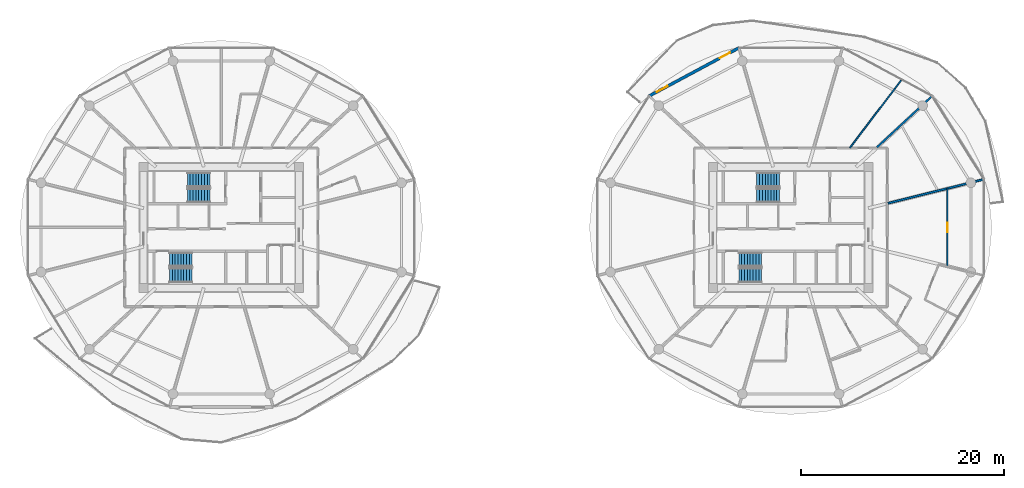
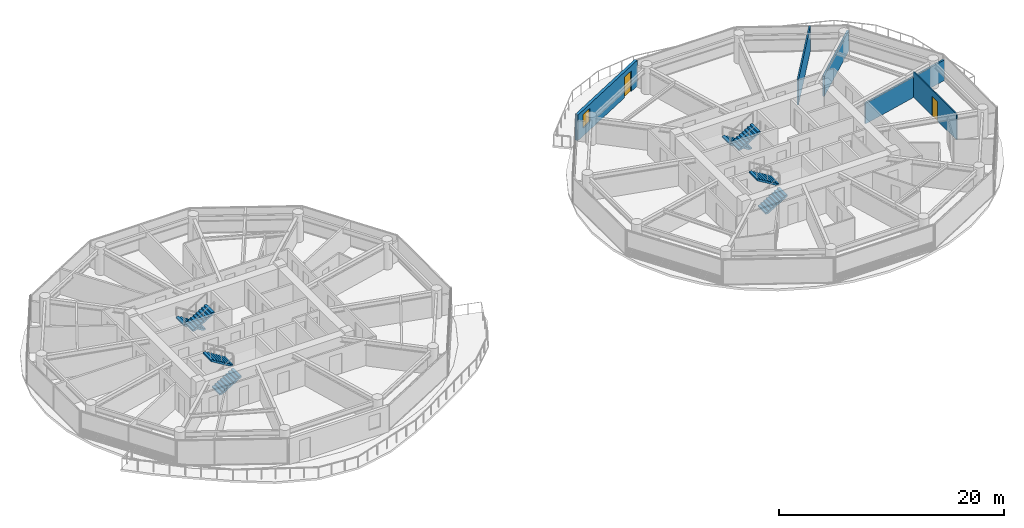
# One storey, part 20 of 26: 8 stair flights, 5 walls, 2 doors, 1 window, 3 openings, 4 elements without a shape of their own.
"""IFC4 building model written with IfcOpenShell, lengths in metres."""

from ifc_helpers import new_model, si_unit, direction, frame, frame_2d, origin, place, context, subcontext, project, spatial, polyline, rectangle, outline, extrude, source, transform, mapped, material, layer, layer_set, type_object, type_shapes, element, fill, aggregate, save


model = new_model("IFC4")

# Units and contexts
model_context = context("Model", 3, precision=1e-05, world=origin(), true_north=direction((0.0, 1.0)))
body_context = subcontext(model_context, "Body", "Model", "MODEL_VIEW")
ifc_project = project(units=[si_unit("LENGTHUNIT", "METRE"), si_unit("AREAUNIT", "SQUARE_METRE"), si_unit("VOLUMEUNIT", "CUBIC_METRE"), si_unit("PLANEANGLEUNIT", "RADIAN"), si_unit("MASSUNIT", "GRAM", prefix="KILO")], contexts=[model_context])

# Site, building, storey
site_placement = place(None, origin())
site = spatial("IfcSite", under=ifc_project, at=site_placement, CompositionType="ELEMENT")
building_placement = place(site_placement, origin())
building = spatial("IfcBuilding", under=site, at=building_placement, Name="Norrkilde Senior Care Towers", CompositionType="ELEMENT")
storey_placement = place(building_placement, frame((0.0, 0.0, 49.050048828125)))
storey = spatial("IfcBuildingStorey", under=building, at=storey_placement, Name="L14", CompositionType="ELEMENT", Elevation=49.050048828125)

# Wall, openings, door, window
ifc_material_1 = material(Name="Precast concrete C45/55", Category="concrete")
ifc_layer_1 = layer(ifc_material_1, 0.2900390625)
ifc_layer_set_1 = layer_set([ifc_layer_1], Name="Precast concrete C45/55")
wall_type_1 = type_object("IfcWallType", Name="Winter Garden Facade Wall 290", PredefinedType="SOLIDWALL", material=ifc_layer_set_1)
shared_shape_1 = source(origin(), body_context, "Body", "SweptSolid", [
    extrude(rectangle(XDim=10.0107421875, YDim=0.2900390625, at=frame_2d((5.00537109375, 0.0))), origin(), (0.0, 0.0, 1.0), 2.7900390625),
])
type_shapes(wall_type_1, [shared_shape_1])
wall_1_placement = place(storey_placement, frame((14.084228515625, 12.926025390625, 0.0), z_axis=(0.0, 0.0, 1.0), x_axis=(0.881272505317, 0.472608475773, 0.0)))
wall_1 = element("IfcWall", 1, at=wall_1_placement, inside=storey, type_object=wall_type_1, Name="L14 Drum E Balcony Access Wall 03", PredefinedType="SOLIDWALL", context=body_context, shape_type="MappedRepresentation", body=[
    mapped(shared_shape_1, transform((0.0, 0.0, 0.0), x_axis=(1.0, 0.0, 0.0), y_axis=(0.0, 1.0, 0.0), z_axis=(0.0, 0.0, 1.0), scale=1.0)),
])
opening_1_placement = place(wall_1_placement, frame((7.860107421875, 0.0, 0.0)))
opening_1 = element("IfcOpeningElement", 2, at=opening_1_placement, cuts=wall_1, Name="Opening D-09", PredefinedType="OPENING", context=body_context, shape_type="SweptSolid", body=[
    extrude(rectangle(XDim=1.14990234375, YDim=2.25, at=frame_2d((0.574951171875, 1.125))), frame((0.0, 0.155029296875, 0.0), z_axis=(0.0, -1.0, 0.0), x_axis=(1.0, 0.0, 0.0)), (0.0, 0.0, 1.0), 0.31005859375),
])
opening_2_placement = place(wall_1_placement, frame((0.85009765625, 0.0, 0.85009765625)))
opening_2 = element("IfcOpeningElement", 3, at=opening_2_placement, cuts=wall_1, Name="Opening WN-07", PredefinedType="OPENING", context=body_context, shape_type="SweptSolid", body=[
    extrude(rectangle(XDim=1.199951171875, YDim=1.5, at=frame_2d((0.60009765625, 0.75))), frame((0.0, 0.155029296875, 0.0), z_axis=(0.0, -1.0, 0.0), x_axis=(1.0, 0.0, 0.0)), (0.0, 0.0, 1.0), 0.31005859375),
])
ifc_material_2 = material(Name="Anodised Aluminium", Category="aluminium")
door_type_1 = type_object("IfcDoorType", Name="Terrace and Balcony Glazed Door 1150x2250", OperationType="NOTDEFINED", PredefinedType="DOOR", material=ifc_material_2)
shared_shape_2 = source(origin(), body_context, "Body", "SweptSolid", [
    extrude(rectangle(XDim=1.14990234375, YDim=2.25, at=frame_2d((0.574951171875, 1.125))), frame((0.0, 0.02490234375, 0.0), z_axis=(0.0, -1.0, 0.0), x_axis=(1.0, 0.0, 0.0)), (0.0, 0.0, 1.0), 0.050048828125),
])
type_shapes(door_type_1, [shared_shape_2])
door_1_placement = place(opening_1_placement, origin())
door_1 = element("IfcDoor", 4, at=door_1_placement, inside=storey, type_object=door_type_1, Name="L14 Drum E Outdoor Terrace Door 03", OperationType="SINGLE_SWING_RIGHT", OverallHeight=2.25, OverallWidth=1.14990234375, PredefinedType="DOOR", context=body_context, shape_type="MappedRepresentation", body=[
    mapped(shared_shape_2, transform((0.0, 0.0, 0.0), x_axis=(1.0, 0.0, 0.0), y_axis=(0.0, 1.0, 0.0), z_axis=(0.0, 0.0, 1.0), scale=1.0)),
])
fill(opening_1, door_1)
ifc_material_3 = material(Name="Triple Low-E Insulated Glazing", Category="glass")
window_type = type_object("IfcWindowType", Name="Stairwell Smoke Vent Window 1200x1500", PartitioningType="SINGLE_PANEL", PredefinedType="WINDOW", material=ifc_material_3)
shared_shape_3 = source(origin(), body_context, "Body", "SweptSolid", [
    extrude(rectangle(XDim=1.199951171875, YDim=1.5, at=frame_2d((0.60009765625, 0.75))), frame((0.0, 0.030029296875, 0.0), z_axis=(0.0, -1.0, 0.0), x_axis=(1.0, 0.0, 0.0)), (0.0, 0.0, 1.0), 0.06005859375),
])
type_shapes(window_type, [shared_shape_3])
window_placement = place(opening_2_placement, origin())
window = element("IfcWindow", 5, at=window_placement, inside=storey, type_object=window_type, Name="L14 Drum E Winter Garden Window 03", OverallHeight=1.5, OverallWidth=1.199951171875, PartitioningType="SINGLE_PANEL", PredefinedType="WINDOW", context=body_context, shape_type="MappedRepresentation", body=[
    mapped(shared_shape_3, transform((0.0, 0.0, 0.0), x_axis=(1.0, 0.0, 0.0), y_axis=(0.0, 1.0, 0.0), z_axis=(0.0, 0.0, 1.0), scale=1.0)),
])
fill(opening_2, window)

# Walls
ifc_material_4 = material(Name="Gypsum Acoustic Board")
ifc_layer_2 = layer(ifc_material_4, 0.18994140625)
ifc_layer_set_2 = layer_set([ifc_layer_2], Name="Gypsum Acoustic Board")
wall_type_2 = type_object("IfcWallType", Name="Unit Demising Acoustic Wall 190", PredefinedType="PARTITIONING", material=ifc_layer_set_2)
shared_shape_4 = source(origin(), body_context, "Body", "SweptSolid", [
    extrude(rectangle(XDim=7.4345703125, YDim=0.18994140625, at=frame_2d((3.71728515625, 0.0))), origin(), (0.0, 0.0, 1.0), 2.224853515625),
])
wall_2_placement = place(storey_placement, frame((36.48291015625, 7.8798828125, 0.0), z_axis=(0.0, 0.0, 1.0), x_axis=(0.732651956848, 0.680603489652, 0.0)))
element("IfcWall", 6, at=wall_2_placement, inside=storey, type_object=wall_type_2, Name="WL-INT-L14-E-DEM-01-0", PredefinedType="PARTITIONING", context=body_context, shape_type="MappedRepresentation", body=[
    mapped(shared_shape_4, transform((0.0, 0.0, 0.0), x_axis=(1.0, 0.0, 0.0), y_axis=(0.0, 1.0, 0.0), z_axis=(0.0, 0.0, 1.0), scale=1.0)),
])
shared_shape_5 = source(origin(), body_context, "Body", "SweptSolid", [
    extrude(rectangle(XDim=9.737060546875, YDim=0.18994140625, at=frame_2d((4.86865234375, 0.0))), origin(), (0.0, 0.0, 1.0), 2.224853515625),
])
type_shapes(wall_type_2, [shared_shape_4, shared_shape_5])
wall_3_placement = place(storey_placement, frame((37.580078125, 2.384521484375, 0.0), z_axis=(0.0, 0.0, 1.0), x_axis=(0.970392716238, 0.241532557375, 0.0)))
element("IfcWall", 7, at=wall_3_placement, inside=storey, type_object=wall_type_2, Name="WL-INT-L14-E-DEM-00-0", PredefinedType="PARTITIONING", context=body_context, shape_type="MappedRepresentation", body=[
    mapped(shared_shape_5, transform((0.0, 0.0, 0.0), x_axis=(1.0, 0.0, 0.0), y_axis=(0.0, 1.0, 0.0), z_axis=(0.0, 0.0, 1.0), scale=1.0)),
])

# Wall, opening, door
ifc_layer_3 = layer(ifc_material_4, 0.114990234375)
ifc_layer_set_3 = layer_set([ifc_layer_3], Name="Gypsum Acoustic Board")
wall_type_3 = type_object("IfcWallType", Name="Internal Room Partition 115", PredefinedType="PARTITIONING", material=ifc_layer_set_3)
shared_shape_6 = source(origin(), body_context, "Body", "SweptSolid", [
    extrude(rectangle(XDim=7.70947265625, YDim=0.114990234375, at=frame_2d((3.854736328125, 0.0))), origin(), (0.0, 0.0, 1.0), 2.77490234375),
])
type_shapes(wall_type_3, [shared_shape_6])
wall_4_placement = place(storey_placement, frame((43.40625, -3.854736328125, 0.0), z_axis=(0.0, 0.0, 1.0), x_axis=(0.0, 1.0, 0.0)))
wall_4 = element("IfcWall", 8, at=wall_4_placement, inside=storey, type_object=wall_type_3, Name="WL-INT-L14-E-UBC-10-1", PredefinedType="PARTITIONING", context=body_context, shape_type="MappedRepresentation", body=[
    mapped(shared_shape_6, transform((0.0, 0.0, 0.0), x_axis=(1.0, 0.0, 0.0), y_axis=(0.0, 1.0, 0.0), z_axis=(0.0, 0.0, 1.0), scale=1.0)),
])
opening_3_placement = place(wall_4_placement, frame((3.379638671875, 0.0, 0.0)))
opening_3 = element("IfcOpeningElement", 9, at=opening_3_placement, cuts=wall_4, Name="Opening D-07", PredefinedType="OPENING", context=body_context, shape_type="SweptSolid", body=[
    extrude(rectangle(XDim=0.949951171875, YDim=2.10009765625, at=frame_2d((0.47509765625, 1.050048828125))), frame((0.0, 0.0673828125, 0.0), z_axis=(0.0, -1.0, 0.0), x_axis=(1.0, 0.0, 0.0)), (0.0, 0.0, 1.0), 0.135009765625),
])
ifc_material_5 = material(Name="Nordic Ash Timber", Category="wood")
door_type_2 = type_object("IfcDoorType", Name="Internal Suite Bedroom Door 950x2100", OperationType="NOTDEFINED", PredefinedType="DOOR", material=ifc_material_5)
shared_shape_7 = source(origin(), body_context, "Body", "SweptSolid", [
    extrude(rectangle(XDim=0.949951171875, YDim=2.10009765625, at=frame_2d((0.47509765625, 1.050048828125))), frame((0.0, 0.02490234375, 0.0), z_axis=(0.0, -1.0, 0.0), x_axis=(1.0, 0.0, 0.0)), (0.0, 0.0, 1.0), 0.050048828125),
])
type_shapes(door_type_2, [shared_shape_7])
door_2_placement = place(opening_3_placement, origin())
door_2 = element("IfcDoor", 10, at=door_2_placement, inside=storey, type_object=door_type_2, Name="Apartment 14G Bedroom 1 Door", OperationType="SINGLE_SWING_RIGHT", OverallHeight=2.10009765625, OverallWidth=0.949951171875, PredefinedType="DOOR", context=body_context, shape_type="MappedRepresentation", body=[
    mapped(shared_shape_7, transform((0.0, 0.0, 0.0), x_axis=(1.0, 0.0, 0.0), y_axis=(0.0, 1.0, 0.0), z_axis=(0.0, 0.0, 1.0), scale=1.0)),
])
fill(opening_3, door_2)

# Wall
ifc_layer_4 = layer(ifc_material_4, 0.139892578125)
ifc_layer_set_4 = layer_set([ifc_layer_4], Name="Gypsum Acoustic Board")
wall_type_4 = type_object("IfcWallType", Name="En-suite Wet Room Wall 140", PredefinedType="PARTITIONING", material=ifc_layer_set_4)
shared_shape_8 = source(origin(), body_context, "Body", "SweptSolid", [
    extrude(rectangle(XDim=8.436279296875, YDim=0.139892578125, at=frame_2d((4.21826171875, 0.0))), origin(), (0.0, 0.0, 1.0), 2.77490234375),
])
type_shapes(wall_type_4, [shared_shape_8])
wall_5_placement = place(storey_placement, frame((33.827880859375, 7.830078125, 0.0), z_axis=(0.0, 0.0, 1.0), x_axis=(0.604486552388, 0.796615345058, 0.0)))
element("IfcWall", 11, at=wall_5_placement, inside=storey, type_object=wall_type_4, Name="WL-INT-L14-E-MID-01", PredefinedType="PARTITIONING", context=body_context, shape_type="MappedRepresentation", body=[
    mapped(shared_shape_8, transform((0.0, 0.0, 0.0), x_axis=(1.0, 0.0, 0.0), y_axis=(0.0, 1.0, 0.0), z_axis=(0.0, 0.0, 1.0), scale=1.0)),
])

# Stair, stair flights
ifc_material_6 = material(Name="Concrete C45/55", Category="concrete")
stair_type = type_object("IfcStairType", Name="Core Protected Dogleg Stair Typical 3050", PredefinedType="HALF_TURN_STAIR", material=ifc_material_6)
stair_1_placement = place(storey_placement, origin())
stair_1 = element("IfcStair", 12, at=stair_1_placement, inside=storey, type_object=stair_type, Name="L14 Protected Core Stair W1", PredefinedType="HALF_TURN_STAIR")
stair_flight_type = type_object("IfcStairFlightType", Name="Core Protected Dogleg Stair Typical 3050 Flight", PredefinedType="STRAIGHT", material=ifc_material_6)
stair_flight_1_placement = place(storey_placement, frame((-29.10009765625, 4.699951171875, 0.0), z_axis=(0.0, 0.0, 1.0), x_axis=(-1.0, 0.0, 0.0)))
stair_flight_1 = element("IfcStairFlight", 13, at=stair_flight_1_placement, type_object=stair_flight_type, Name="ST-W1 flight 1", NumberOfRisers=9, NumberOfTreads=8, PredefinedType="STRAIGHT", RiserHeight=0.169444444, TreadLength=0.28, context=body_context, shape_type="SweptSolid", body=[
    extrude(outline(polyline([(0.0, 0.0), (0.0, 0.16943359375), (0.280029296875, 0.16943359375), (0.280029296875, 0.3388671875), (0.56005859375, 0.3388671875), (0.56005859375, 0.50830078125), (0.840087890625, 0.50830078125), (0.840087890625, 0.677734375), (1.1201171875, 0.677734375), (1.1201171875, 0.84716796875), (1.39990234375, 0.84716796875), (1.39990234375, 1.0166015625), (1.679931640625, 1.0166015625), (1.679931640625, 1.18603515625), (1.9599609375, 1.18603515625), (1.9599609375, 1.35546875), (2.239990234375, 1.35546875), (2.239990234375, 1.52490234375), (2.239990234375, 1.180419921875), (0.28955078125, 0.0), (0.0, 0.0)])), frame((0.0, 0.699951171875, 0.0), z_axis=(0.0, -1.0, 0.0), x_axis=(1.0, 0.0, 0.0)), (0.0, 0.0, 1.0), 1.39990234375),
])
stair_flight_2_placement = place(storey_placement, frame((-31.340087890625, 3.14990234375, 1.52490234375), z_axis=(0.0, 0.0, 1.0), x_axis=(1.0, 0.0, 0.0)))
stair_flight_2 = element("IfcStairFlight", 14, at=stair_flight_2_placement, type_object=stair_flight_type, Name="ST-W1 flight 2", NumberOfRisers=9, NumberOfTreads=8, PredefinedType="STRAIGHT", RiserHeight=0.169444444, TreadLength=0.28, context=body_context, shape_type="SweptSolid", body=[
    extrude(outline(polyline([(0.0, 0.0), (0.0, 0.16943359375), (0.280029296875, 0.16943359375), (0.280029296875, 0.3388671875), (0.56005859375, 0.3388671875), (0.56005859375, 0.50830078125), (0.840087890625, 0.50830078125), (0.840087890625, 0.677734375), (1.1201171875, 0.677734375), (1.1201171875, 0.84716796875), (1.39990234375, 0.84716796875), (1.39990234375, 1.0166015625), (1.679931640625, 1.0166015625), (1.679931640625, 1.18603515625), (1.9599609375, 1.18603515625), (1.9599609375, 1.35546875), (2.239990234375, 1.35546875), (2.239990234375, 1.52490234375), (2.239990234375, 1.180419921875), (0.28955078125, 0.0), (0.0, 0.0)])), frame((0.0, 0.699951171875, 0.0), z_axis=(0.0, -1.0, 0.0), x_axis=(1.0, 0.0, 0.0)), (0.0, 0.0, 1.0), 1.39990234375),
])
aggregate(stair_1, [stair_flight_1, stair_flight_2])

stair_2_placement = place(storey_placement, origin())
stair_2 = element("IfcStair", 15, at=stair_2_placement, inside=storey, type_object=stair_type, Name="L14 Protected Core Stair W2", PredefinedType="HALF_TURN_STAIR")
stair_flight_3_placement = place(storey_placement, frame((-33.10009765625, -4.699951171875, 0.0), z_axis=(0.0, 0.0, 1.0), x_axis=(1.0, 0.0, 0.0)))
stair_flight_3 = element("IfcStairFlight", 16, at=stair_flight_3_placement, type_object=stair_flight_type, Name="ST-W2 flight 1", NumberOfRisers=9, NumberOfTreads=8, PredefinedType="STRAIGHT", RiserHeight=0.169444444, TreadLength=0.28, context=body_context, shape_type="SweptSolid", body=[
    extrude(outline(polyline([(0.0, 0.0), (0.0, 0.16943359375), (0.280029296875, 0.16943359375), (0.280029296875, 0.3388671875), (0.56005859375, 0.3388671875), (0.56005859375, 0.50830078125), (0.840087890625, 0.50830078125), (0.840087890625, 0.677734375), (1.1201171875, 0.677734375), (1.1201171875, 0.84716796875), (1.39990234375, 0.84716796875), (1.39990234375, 1.0166015625), (1.679931640625, 1.0166015625), (1.679931640625, 1.18603515625), (1.9599609375, 1.18603515625), (1.9599609375, 1.35546875), (2.239990234375, 1.35546875), (2.239990234375, 1.52490234375), (2.239990234375, 1.180419921875), (0.28955078125, 0.0), (0.0, 0.0)])), frame((0.0, 0.699951171875, 0.0), z_axis=(0.0, -1.0, 0.0), x_axis=(1.0, 0.0, 0.0)), (0.0, 0.0, 1.0), 1.39990234375),
])
stair_flight_4_placement = place(storey_placement, frame((-30.860107421875, -3.14990234375, 1.52490234375), z_axis=(0.0, 0.0, 1.0), x_axis=(-1.0, 0.0, 0.0)))
stair_flight_4 = element("IfcStairFlight", 17, at=stair_flight_4_placement, type_object=stair_flight_type, Name="ST-W2 flight 2", NumberOfRisers=9, NumberOfTreads=8, PredefinedType="STRAIGHT", RiserHeight=0.169444444, TreadLength=0.28, context=body_context, shape_type="SweptSolid", body=[
    extrude(outline(polyline([(0.0, 0.0), (0.0, 0.16943359375), (0.280029296875, 0.16943359375), (0.280029296875, 0.3388671875), (0.56005859375, 0.3388671875), (0.56005859375, 0.50830078125), (0.840087890625, 0.50830078125), (0.840087890625, 0.677734375), (1.1201171875, 0.677734375), (1.1201171875, 0.84716796875), (1.39990234375, 0.84716796875), (1.39990234375, 1.0166015625), (1.679931640625, 1.0166015625), (1.679931640625, 1.18603515625), (1.9599609375, 1.18603515625), (1.9599609375, 1.35546875), (2.239990234375, 1.35546875), (2.239990234375, 1.52490234375), (2.239990234375, 1.180419921875), (0.28955078125, 0.0), (0.0, 0.0)])), frame((0.0, 0.699951171875, 0.0), z_axis=(0.0, -1.0, 0.0), x_axis=(1.0, 0.0, 0.0)), (0.0, 0.0, 1.0), 1.39990234375),
])
aggregate(stair_2, [stair_flight_3, stair_flight_4])

stair_3_placement = place(storey_placement, origin())
stair_3 = element("IfcStair", 18, at=stair_3_placement, inside=storey, type_object=stair_type, Name="L14 Protected Core Stair E1", PredefinedType="HALF_TURN_STAIR")
stair_flight_5_placement = place(storey_placement, frame((26.89990234375, 4.699951171875, 0.0), z_axis=(0.0, 0.0, 1.0), x_axis=(-1.0, 0.0, 0.0)))
stair_flight_5 = element("IfcStairFlight", 19, at=stair_flight_5_placement, type_object=stair_flight_type, Name="ST-E1 flight 1", NumberOfRisers=9, NumberOfTreads=8, PredefinedType="STRAIGHT", RiserHeight=0.169444444, TreadLength=0.28, context=body_context, shape_type="SweptSolid", body=[
    extrude(outline(polyline([(0.0, 0.0), (0.0, 0.16943359375), (0.280029296875, 0.16943359375), (0.280029296875, 0.3388671875), (0.56005859375, 0.3388671875), (0.56005859375, 0.50830078125), (0.840087890625, 0.50830078125), (0.840087890625, 0.677734375), (1.1201171875, 0.677734375), (1.1201171875, 0.84716796875), (1.39990234375, 0.84716796875), (1.39990234375, 1.0166015625), (1.679931640625, 1.0166015625), (1.679931640625, 1.18603515625), (1.9599609375, 1.18603515625), (1.9599609375, 1.35546875), (2.239990234375, 1.35546875), (2.239990234375, 1.52490234375), (2.239990234375, 1.180419921875), (0.28955078125, 0.0), (0.0, 0.0)])), frame((0.0, 0.699951171875, 0.0), z_axis=(0.0, -1.0, 0.0), x_axis=(1.0, 0.0, 0.0)), (0.0, 0.0, 1.0), 1.39990234375),
])
stair_flight_6_placement = place(storey_placement, frame((24.659912109375, 3.14990234375, 1.52490234375), z_axis=(0.0, 0.0, 1.0), x_axis=(1.0, 0.0, 0.0)))
stair_flight_6 = element("IfcStairFlight", 20, at=stair_flight_6_placement, type_object=stair_flight_type, Name="ST-E1 flight 2", NumberOfRisers=9, NumberOfTreads=8, PredefinedType="STRAIGHT", RiserHeight=0.169444444, TreadLength=0.28, context=body_context, shape_type="SweptSolid", body=[
    extrude(outline(polyline([(0.0, 0.0), (0.0, 0.16943359375), (0.280029296875, 0.16943359375), (0.280029296875, 0.3388671875), (0.56005859375, 0.3388671875), (0.56005859375, 0.50830078125), (0.840087890625, 0.50830078125), (0.840087890625, 0.677734375), (1.1201171875, 0.677734375), (1.1201171875, 0.84716796875), (1.39990234375, 0.84716796875), (1.39990234375, 1.0166015625), (1.679931640625, 1.0166015625), (1.679931640625, 1.18603515625), (1.9599609375, 1.18603515625), (1.9599609375, 1.35546875), (2.239990234375, 1.35546875), (2.239990234375, 1.52490234375), (2.239990234375, 1.180419921875), (0.28955078125, 0.0), (0.0, 0.0)])), frame((0.0, 0.699951171875, 0.0), z_axis=(0.0, -1.0, 0.0), x_axis=(1.0, 0.0, 0.0)), (0.0, 0.0, 1.0), 1.39990234375),
])
aggregate(stair_3, [stair_flight_5, stair_flight_6])

stair_4_placement = place(storey_placement, origin())
stair_4 = element("IfcStair", 21, at=stair_4_placement, inside=storey, type_object=stair_type, Name="L14 Protected Core Stair E2", PredefinedType="HALF_TURN_STAIR")
stair_flight_7_placement = place(storey_placement, frame((22.89990234375, -4.699951171875, 0.0), z_axis=(0.0, 0.0, 1.0), x_axis=(1.0, 0.0, 0.0)))
stair_flight_7 = element("IfcStairFlight", 22, at=stair_flight_7_placement, type_object=stair_flight_type, Name="ST-E2 flight 1", NumberOfRisers=9, NumberOfTreads=8, PredefinedType="STRAIGHT", RiserHeight=0.169444444, TreadLength=0.28, context=body_context, shape_type="SweptSolid", body=[
    extrude(outline(polyline([(0.0, 0.0), (0.0, 0.16943359375), (0.280029296875, 0.16943359375), (0.280029296875, 0.3388671875), (0.56005859375, 0.3388671875), (0.56005859375, 0.50830078125), (0.840087890625, 0.50830078125), (0.840087890625, 0.677734375), (1.1201171875, 0.677734375), (1.1201171875, 0.84716796875), (1.39990234375, 0.84716796875), (1.39990234375, 1.0166015625), (1.679931640625, 1.0166015625), (1.679931640625, 1.18603515625), (1.9599609375, 1.18603515625), (1.9599609375, 1.35546875), (2.239990234375, 1.35546875), (2.239990234375, 1.52490234375), (2.239990234375, 1.180419921875), (0.28955078125, 0.0), (0.0, 0.0)])), frame((0.0, 0.699951171875, 0.0), z_axis=(0.0, -1.0, 0.0), x_axis=(1.0, 0.0, 0.0)), (0.0, 0.0, 1.0), 1.39990234375),
])
stair_flight_8_placement = place(storey_placement, frame((25.139892578125, -3.14990234375, 1.52490234375), z_axis=(0.0, 0.0, 1.0), x_axis=(-1.0, 0.0, 0.0)))
stair_flight_8 = element("IfcStairFlight", 23, at=stair_flight_8_placement, type_object=stair_flight_type, Name="ST-E2 flight 2", NumberOfRisers=9, NumberOfTreads=8, PredefinedType="STRAIGHT", RiserHeight=0.169444444, TreadLength=0.28, context=body_context, shape_type="SweptSolid", body=[
    extrude(outline(polyline([(0.0, 0.0), (0.0, 0.16943359375), (0.280029296875, 0.16943359375), (0.280029296875, 0.3388671875), (0.56005859375, 0.3388671875), (0.56005859375, 0.50830078125), (0.840087890625, 0.50830078125), (0.840087890625, 0.677734375), (1.1201171875, 0.677734375), (1.1201171875, 0.84716796875), (1.39990234375, 0.84716796875), (1.39990234375, 1.0166015625), (1.679931640625, 1.0166015625), (1.679931640625, 1.18603515625), (1.9599609375, 1.18603515625), (1.9599609375, 1.35546875), (2.239990234375, 1.35546875), (2.239990234375, 1.52490234375), (2.239990234375, 1.180419921875), (0.28955078125, 0.0), (0.0, 0.0)])), frame((0.0, 0.699951171875, 0.0), z_axis=(0.0, -1.0, 0.0), x_axis=(1.0, 0.0, 0.0)), (0.0, 0.0, 1.0), 1.39990234375),
])
aggregate(stair_4, [stair_flight_7, stair_flight_8])

save(model, "model.ifc")
